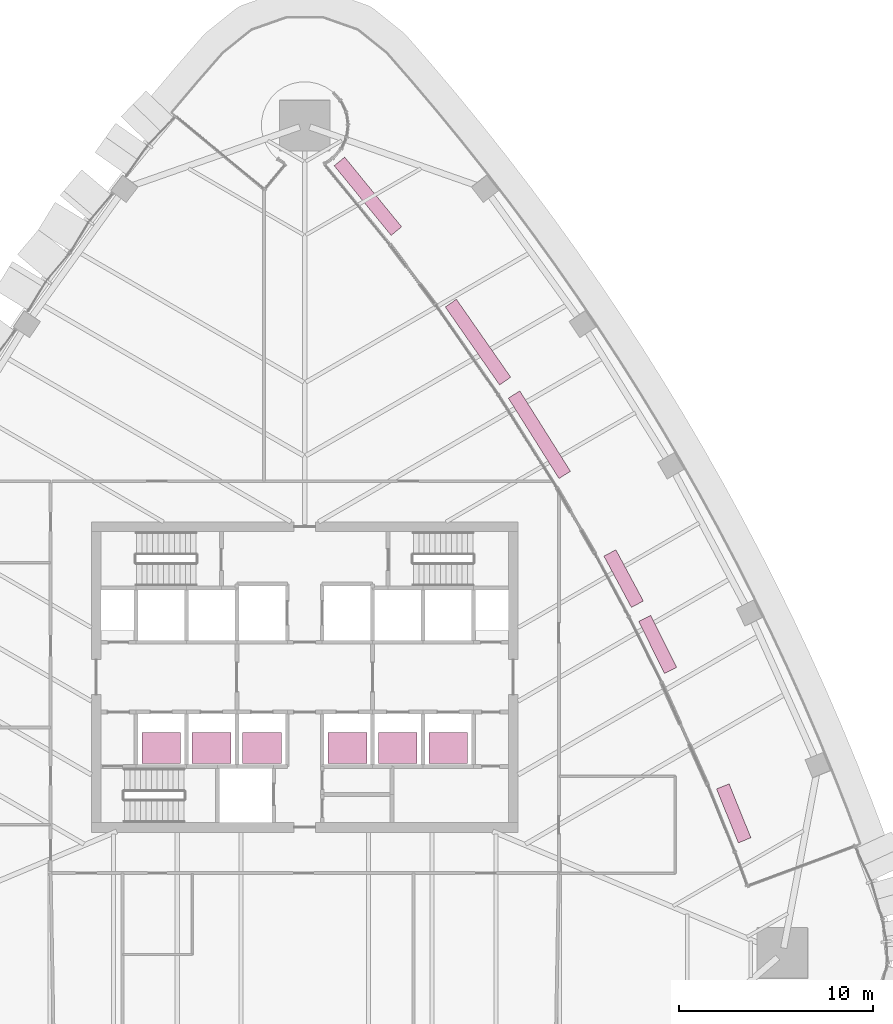
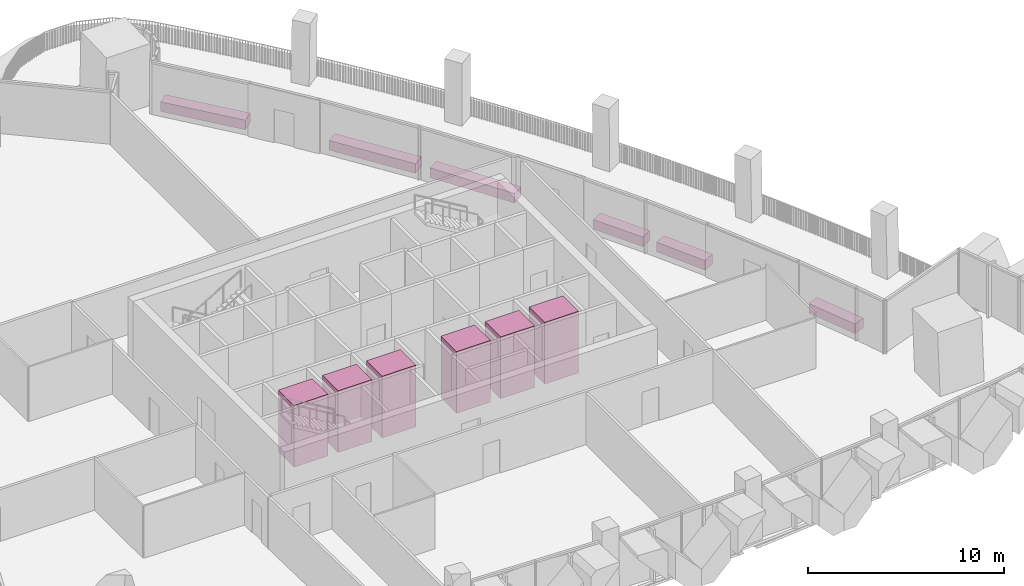
# One storey, part 22 of 22: 6 furniture elements, 6 transport elements.
"""IFC4 building model written with IfcOpenShell, lengths in metres."""

from ifc_helpers import new_model, si_unit, direction, frame, origin, origin_2d, place, context, subcontext, project, spatial, rectangle, extrude, material, type_object, element, save


model = new_model("IFC4")

# Units and contexts
model_context = context("Model", 3, precision=1e-05, world=origin(), true_north=direction((0.0, 1.0)))
body_context = subcontext(model_context, "Body", "Model", "MODEL_VIEW")
ifc_project = project(units=[si_unit("LENGTHUNIT", "METRE"), si_unit("AREAUNIT", "SQUARE_METRE"), si_unit("VOLUMEUNIT", "CUBIC_METRE"), si_unit("PLANEANGLEUNIT", "RADIAN"), si_unit("MASSUNIT", "GRAM", prefix="KILO")], contexts=[model_context])

# Site, building, storey
site_placement = place(None, origin())
site = spatial("IfcSite", under=ifc_project, at=site_placement, CompositionType="ELEMENT")
building_placement = place(site_placement, origin())
building = spatial("IfcBuilding", under=site, at=building_placement, Name="Sierra Prisma Convention Tower", CompositionType="ELEMENT")
storey_placement = place(building_placement, frame((0.0, 0.0, 141.800048828125)))
storey = spatial("IfcBuildingStorey", under=building, at=storey_placement, Name="L30", CompositionType="ELEMENT", Elevation=141.800048828125)

# Transport elements
ifc_material_1 = material(Name="Stainless steel", Category="steel")
transport_element_type = type_object("IfcTransportElementType", Name="Lift car office low 2000x1600 1600 kg", PredefinedType="ELEVATOR", material=ifc_material_1)
for number, where, z_axis, x_axis, name in (
    (1, (-7.39990234375, -3.64990234375, 0.0), (0.0, 0.0, 1.0), (1.0, 0.0, 0.0), "Lift OL1"),
    (2, (-4.800048828125, -3.64990234375, 0.0), (0.0, 0.0, 1.0), (1.0, 0.0, 0.0), "Lift OL2"),
    (3, (-2.199951171875, -3.64990234375, 0.0), (0.0, 0.0, 1.0), (1.0, 0.0, 0.0), "Lift OL3"),
    (4, (2.199951171875, -3.64990234375, 0.0), (0.0, 0.0, 1.0), (1.0, 0.0, 0.0), "Lift OL4"),
    (5, (4.800048828125, -3.64990234375, 0.0), (0.0, 0.0, 1.0), (1.0, 0.0, 0.0), "Lift OL5"),
    (6, (7.39990234375, -3.64990234375, 0.0), (0.0, 0.0, 1.0), (1.0, 0.0, 0.0), "Lift OL6"),
):
    element("IfcTransportElement", number, at=place(storey_placement, frame(where, z_axis=z_axis, x_axis=x_axis)), inside=storey, type_object=transport_element_type, Name=name, PredefinedType="ELEVATOR", context=body_context, shape_type="SweptSolid", body=[
        extrude(rectangle(XDim=2.0, YDim=1.60009765625, at=origin_2d()), origin(), (0.0, 0.0, 1.0), 3.85009765625),
    ])

# Furniture
ifc_material_2 = material(Name="Precast concrete C40/50", Category="concrete")
furniture_type = type_object("IfcFurnitureType", Name="Terrace planter", AssemblyPlace="NOTDEFINED", PredefinedType="USERDEFINED", material=ifc_material_2)
for number, where, z_axis, x_axis, name in (
    (7, (22.1162109375, -7.02197265625, 0.039794921875), (0.0, 0.0, 1.0), (-0.374905623733, 0.927062982377, 0.0), "Planter L30.2"),
    (8, (18.196044921875, 1.6865234375, 0.039794921875), (0.0, 0.0, 1.0), (-0.445458196116, 0.895302739588, 0.0), "Planter L30.4"),
    (9, (16.441162109375, 5.080810546875, 0.039794921875), (0.0, 0.0, 1.0), (-0.472955696391, 0.881086209886, 0.0), "Planter L30.5"),
):
    element("IfcFurniture", number, at=place(storey_placement, frame(where, z_axis=z_axis, x_axis=x_axis)), inside=storey, type_object=furniture_type, Name=name, ObjectType="PLANTER", PredefinedType="USERDEFINED", context=body_context, shape_type="SweptSolid", body=[
        extrude(rectangle(XDim=2.999755859375, YDim=0.699951171875, at=origin_2d()), origin(), (0.0, 0.0, 1.0), 0.60009765625),
    ])
for number, where, z_axis, x_axis, name in (
    (10, (12.098876953125, 12.498291015625, 0.039794921875), (0.0, 0.0, 1.0), (-0.533128636001, 0.846034194034, 0.0), "Planter L30.7"),
    (11, (8.932373046875, 17.274169921875, 0.039794921875), (0.0, 0.0, 1.0), (-0.571825125261, 0.820375539689, 0.0), "Planter L30.8"),
):
    element("IfcFurniture", number, at=place(storey_placement, frame(where, z_axis=z_axis, x_axis=x_axis)), inside=storey, type_object=furniture_type, Name=name, ObjectType="PLANTER", PredefinedType="USERDEFINED", context=body_context, shape_type="SweptSolid", body=[
        extrude(rectangle(XDim=4.8994140625, YDim=0.699951171875, at=origin_2d()), origin(), (0.0, 0.0, 1.0), 0.60009765625),
    ])
furniture_placement = place(storey_placement, frame((3.256591796875, 24.791748046875, 0.039794921875), z_axis=(0.0, 0.0, 1.0), x_axis=(-0.632970891729, 0.774175593922, 0.0)))
element("IfcFurniture", 12, at=furniture_placement, inside=storey, type_object=furniture_type, Name="Planter L30.10", ObjectType="PLANTER", PredefinedType="USERDEFINED", context=body_context, shape_type="SweptSolid", body=[
    extrude(rectangle(XDim=4.640869140625, YDim=0.699951171875, at=origin_2d()), origin(), (0.0, 0.0, 1.0), 0.60009765625),
])

save(model, "model.ifc")
